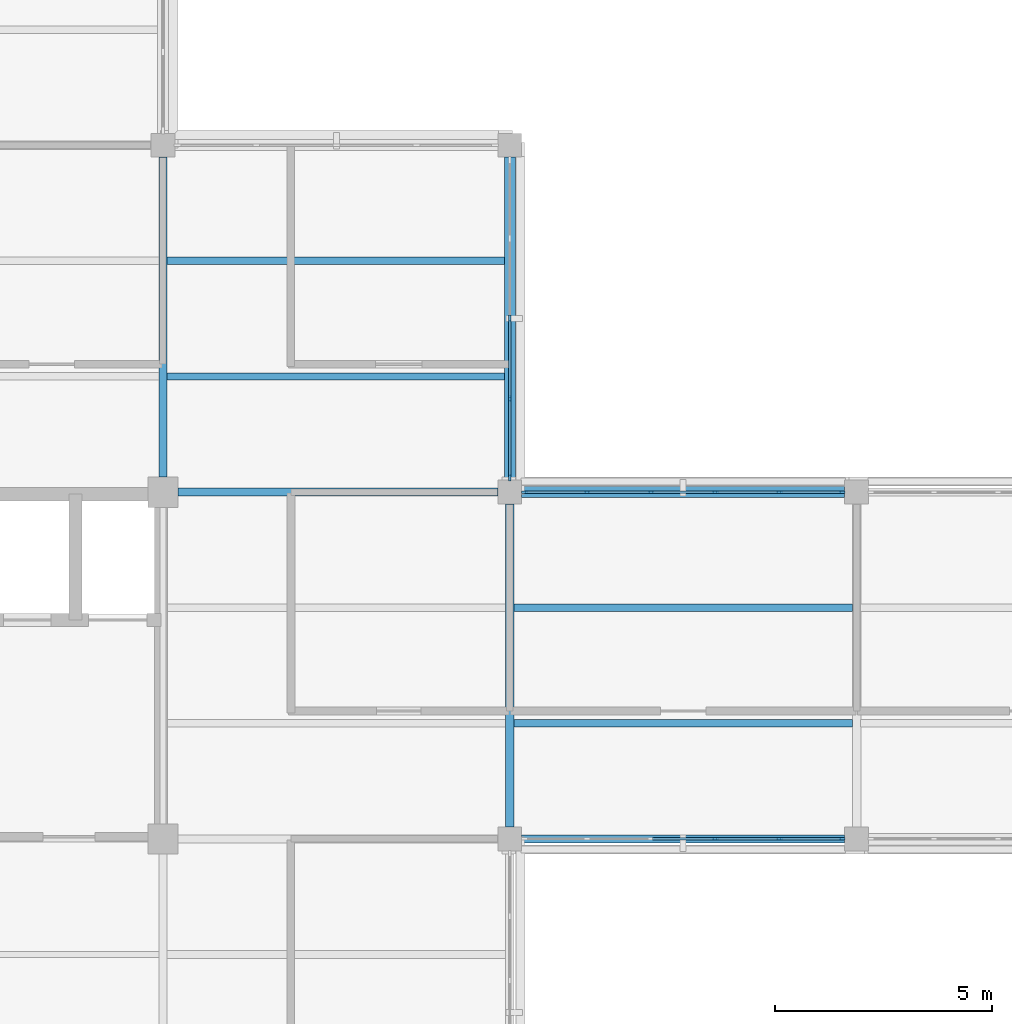
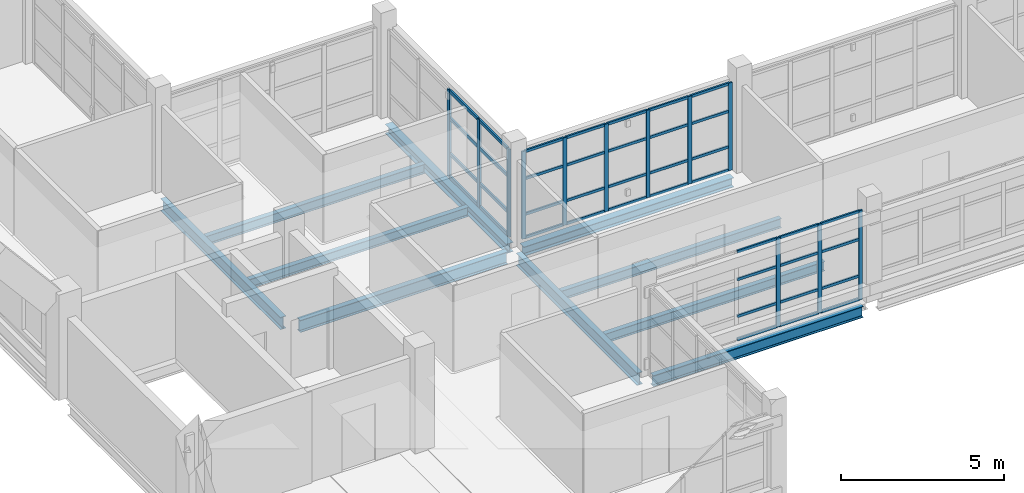
# One storey, part 21 of 92: 52 members, 10 beams, 3 elements without a shape of their own.
"""IFC4 building model written with IfcOpenShell, lengths in metres."""

from ifc_helpers import new_model, si_unit, derived_unit, direction, frame, origin, origin_2d, place, context, subcontext, project, spatial, rectangle, i_section, extrude, material, layer, layer_set, material_profile, profile_set, type_object, element, aggregate, save


model = new_model("IFC4")

# Units and contexts
model_context = context("Model", 3, precision=1e-05, world=origin(), true_north=direction((0.0, 1.0)))
body_context = subcontext(model_context, "Body", "Model", "MODEL_VIEW")
ifc_project = project(units=[si_unit("LENGTHUNIT", "METRE"), si_unit("AREAUNIT", "SQUARE_METRE"), si_unit("VOLUMEUNIT", "CUBIC_METRE"), si_unit("PLANEANGLEUNIT", "RADIAN"), si_unit("MASSUNIT", "GRAM", prefix="KILO"), derived_unit("THERMALTRANSMITTANCEUNIT", [(si_unit("MASSUNIT", "GRAM", prefix="KILO"), 1), (si_unit("TIMEUNIT", "SECOND"), -3), (si_unit("THERMODYNAMICTEMPERATUREUNIT", "KELVIN"), -1)])], contexts=[model_context])

# Site, building, storey
site_placement = place(None, origin())
site = spatial("IfcSite", under=ifc_project, at=site_placement, CompositionType="ELEMENT")
building_placement = place(site_placement, origin())
building = spatial("IfcBuilding", under=site, at=building_placement, Name="Veyamyaing Civic Hall", CompositionType="ELEMENT")
storey_placement = place(building_placement, frame((0.0, 0.0, 17.820068359375)))
storey = spatial("IfcBuildingStorey", under=building, at=storey_placement, Name="L04", CompositionType="ELEMENT", Elevation=17.820068359375)

# Beams
ifc_material_1 = material(Name="Steel ASTM A992", Category="steel")
ifc_material_profile_1 = material_profile(ifc_material_1, i_section(OverallWidth=0.19189453125, OverallDepth=0.462890625, WebThickness=0.010498046875, FlangeThickness=0.017578125, FilletRadius=0.010009765625, at=origin_2d()), Name="W460X89")
ifc_profile_set_1 = profile_set([ifc_material_profile_1], Name="Steel ASTM A992")
beam_type_1 = type_object("IfcBeamType", Name="B-08", PredefinedType="BEAM", material=ifc_profile_set_1)
beam_1_placement = place(storey_placement, frame((112.0, 56.35009765625, -0.466552734375), z_axis=(0.0, 1.0, 0.0), x_axis=(-1.0, 0.0, 0.0)))
element("IfcBeam", 1, at=beam_1_placement, inside=storey, type_object=beam_type_1, Name="Girder B-08 L04 Grid 15 H-J", PredefinedType="BEAM", context=body_context, shape_type="SweptSolid", body=[
    extrude(i_section(OverallWidth=0.19189453125, OverallDepth=0.462890625, WebThickness=0.010498046875, FlangeThickness=0.017578125, FilletRadius=0.010009765625, at=origin_2d()), origin(), (0.0, 0.0, 1.0), 7.375),
])
beam_2_placement = place(storey_placement, frame((120.0, 48.27490234375, -0.466552734375), z_axis=(0.0, 1.0, 0.0), x_axis=(-1.0, 0.0, 0.0)))
element("IfcBeam", 2, at=beam_2_placement, inside=storey, type_object=beam_type_1, Name="Girder B-08 L04 Grid 16 G-H", PredefinedType="BEAM", context=body_context, shape_type="SweptSolid", body=[
    extrude(i_section(OverallWidth=0.19189453125, OverallDepth=0.462890625, WebThickness=0.010498046875, FlangeThickness=0.017578125, FilletRadius=0.010009765625, at=origin_2d()), origin(), (0.0, 0.0, 1.0), 7.4501953125),
])
ifc_material_profile_2 = material_profile(ifc_material_1, i_section(OverallWidth=0.18994140625, OverallDepth=0.45703125, WebThickness=0.009033203125, FlangeThickness=0.014404296875, FilletRadius=0.010009765625, at=origin_2d()), Name="W460X74")
ifc_profile_set_2 = profile_set([ifc_material_profile_2], Name="Steel ASTM A992")
beam_type_2 = type_object("IfcBeamType", Name="B-09", PredefinedType="BEAM", material=ifc_profile_set_2)
beam_3_placement = place(storey_placement, frame((112.35009765625, 56.0, -0.463623046875), z_axis=(1.0, 0.0, 0.0), x_axis=(0.0, 1.0, 0.0)))
element("IfcBeam", 3, at=beam_3_placement, inside=storey, type_object=beam_type_2, Name="Girder B-09 L04 Grid H 15-16", PredefinedType="BEAM", context=body_context, shape_type="SweptSolid", body=[
    extrude(i_section(OverallWidth=0.18994140625, OverallDepth=0.45703125, WebThickness=0.009033203125, FlangeThickness=0.014404296875, FilletRadius=0.010009765625, at=origin_2d()), origin(), (0.0, 0.0, 1.0), 7.375),
])
ifc_material_profile_3 = material_profile(ifc_material_1, i_section(OverallWidth=0.180908203125, OverallDepth=0.4169921875, WebThickness=0.010986328125, FlangeThickness=0.018310546875, FilletRadius=0.010009765625, at=origin_2d()), Name="W410X85")
ifc_profile_set_3 = profile_set([ifc_material_profile_3], Name="Steel ASTM A992")
beam_type_3 = type_object("IfcBeamType", Name="B-19", PredefinedType="SPANDREL", material=ifc_profile_set_3)
beam_4_placement = place(storey_placement, frame((120.27490234375, 48.0, -0.443603515625), z_axis=(1.0, 0.0, 0.0), x_axis=(0.0, 1.0, 0.0)))
element("IfcBeam", 4, at=beam_4_placement, inside=storey, type_object=beam_type_3, Name="Girder B-19 L04 Grid G 16-17", PredefinedType="SPANDREL", context=body_context, shape_type="SweptSolid", body=[
    extrude(i_section(OverallWidth=0.180908203125, OverallDepth=0.4169921875, WebThickness=0.010986328125, FlangeThickness=0.018310546875, FilletRadius=0.010009765625, at=origin_2d()), origin(), (0.0, 0.0, 1.0), 7.4501953125),
])
ifc_material_profile_4 = material_profile(ifc_material_1, i_section(OverallWidth=0.25390625, OverallDepth=0.35302734375, WebThickness=0.009521484375, FlangeThickness=0.016357421875, FilletRadius=0.011962890625, at=origin_2d()), Name="W360X91")
ifc_profile_set_4 = profile_set([ifc_material_profile_4], Name="Steel ASTM A992")
beam_type_4 = type_object("IfcBeamType", Name="B-20", PredefinedType="SPANDREL", material=ifc_profile_set_4)
for number, where, z_axis, x_axis, name in (
    (5, (120.27490234375, 56.0, -0.41162109375), (1.0, 0.0, 0.0), (0.0, 1.0, 0.0), "Girder B-20 L04 Grid H 16-17"),
    (6, (120.0, 56.27490234375, -0.41162109375), (0.0, 1.0, 0.0), (-1.0, 0.0, 0.0), "Girder B-20 L04 Grid 16 H-J"),
):
    element("IfcBeam", number, at=place(storey_placement, frame(where, z_axis=z_axis, x_axis=x_axis)), inside=storey, type_object=beam_type_4, Name=name, PredefinedType="SPANDREL", context=body_context, shape_type="SweptSolid", body=[
        extrude(i_section(OverallWidth=0.25390625, OverallDepth=0.35302734375, WebThickness=0.009521484375, FlangeThickness=0.016357421875, FilletRadius=0.011962890625, at=origin_2d()), origin(), (0.0, 0.0, 1.0), 7.4501953125),
    ])

# Curtain wall, members
ifc_material_2 = material(Name="Anodised aluminium 6063-T6", Category="aluminium")
ifc_layer_1 = layer(ifc_material_2, 0.159912109375, Name="Anodised aluminium 6063-T6")
ifc_layer_set_1 = layer_set([ifc_layer_1], Name="Anodised aluminium 6063-T6")
curtain_wall_type_1 = type_object("IfcCurtainWallType", Name="CW-08", PredefinedType="NOTDEFINED", material=ifc_layer_set_1)
curtain_wall_1_placement = place(storey_placement, origin())
curtain_wall_1 = element("IfcCurtainWall", 7, at=curtain_wall_1_placement, inside=storey, type_object=curtain_wall_type_1, Name="Unitized curtain wall CW-08 L04 E 15.8", PredefinedType="NOTDEFINED")
ifc_material_profile_5 = material_profile(ifc_material_2, rectangle(XDim=0.06494140625, YDim=0.159912109375, at=origin_2d()), Name="ALU-MUL-65X160")
ifc_profile_set_5 = profile_set([ifc_material_profile_5], Name="Anodised aluminium 6063-T6")
member_type_1 = type_object("IfcMemberType", Name="CWM-01", PredefinedType="MULLION", material=ifc_profile_set_5)
member_1_placement = place(storey_placement, frame((120.0, 56.33740234375, 0.0), z_axis=(0.0, 0.0, 1.0), x_axis=(-1.0, 0.0, 0.0)))
member_1 = element("IfcMember", 8, at=member_1_placement, type_object=member_type_1, Name="CW-08 mullion 1", PredefinedType="MULLION", context=body_context, shape_type="SweptSolid", body=[
    extrude(rectangle(XDim=0.06494140625, YDim=0.159912109375, at=origin_2d()), origin(), (0.0, 0.0, 1.0), 3.288818359375),
])
member_2_placement = place(storey_placement, frame((120.0, 58.152587890625, 0.0), z_axis=(0.0, 0.0, 1.0), x_axis=(-1.0, 0.0, 0.0)))
member_2 = element("IfcMember", 9, at=member_2_placement, type_object=member_type_1, Name="CW-08 mullion 2", PredefinedType="MULLION", context=body_context, shape_type="SweptSolid", body=[
    extrude(rectangle(XDim=0.06494140625, YDim=0.159912109375, at=origin_2d()), origin(), (0.0, 0.0, 1.0), 3.288818359375),
])
member_3_placement = place(storey_placement, frame((120.0, 60.0, 0.0), z_axis=(0.0, 0.0, 1.0), x_axis=(-1.0, 0.0, 0.0)))
member_3 = element("IfcMember", 10, at=member_3_placement, type_object=member_type_1, Name="CW-08 mullion 3", PredefinedType="MULLION", context=body_context, shape_type="SweptSolid", body=[
    extrude(rectangle(XDim=0.06494140625, YDim=0.159912109375, at=origin_2d()), origin(), (0.0, 0.0, 1.0), 3.288818359375),
])

ifc_layer_2 = layer(ifc_material_2, 0.139892578125, Name="Anodised aluminium 6063-T6")
ifc_layer_set_2 = layer_set([ifc_layer_2], Name="Anodised aluminium 6063-T6")
curtain_wall_type_2 = type_object("IfcCurtainWallType", Name="CW-04", PredefinedType="NOTDEFINED", material=ifc_layer_set_2)
curtain_wall_2_placement = place(storey_placement, origin())
curtain_wall_2 = element("IfcCurtainWall", 11, at=curtain_wall_2_placement, inside=storey, type_object=curtain_wall_type_2, Name="Unitized curtain wall CW-04 L04 S 16.7", PredefinedType="NOTDEFINED")
ifc_material_profile_6 = material_profile(ifc_material_2, rectangle(XDim=0.06005859375, YDim=0.139892578125, at=origin_2d()), Name="ALU-MUL-60X140")
ifc_profile_set_6 = profile_set([ifc_material_profile_6], Name="Anodised aluminium 6063-T6")
member_type_2 = type_object("IfcMemberType", Name="CWM-03", PredefinedType="MULLION", material=ifc_profile_set_6)
member_4_placement = place(storey_placement, frame((124.739013671875, 48.0, 0.0), z_axis=(0.0, 0.0, 1.0), x_axis=(0.0, 1.0, 0.0)))
member_4 = element("IfcMember", 12, at=member_4_placement, type_object=member_type_2, Name="CW-04 mullion 4", PredefinedType="MULLION", context=body_context, shape_type="SweptSolid", body=[
    extrude(rectangle(XDim=0.06005859375, YDim=0.139892578125, at=origin_2d()), origin(), (0.0, 0.0, 1.0), 3.348876953125),
])
member_5_placement = place(storey_placement, frame((126.217041015625, 48.0, 0.0), z_axis=(0.0, 0.0, 1.0), x_axis=(0.0, 1.0, 0.0)))
member_5 = element("IfcMember", 13, at=member_5_placement, type_object=member_type_2, Name="CW-04 mullion 5", PredefinedType="MULLION", context=body_context, shape_type="SweptSolid", body=[
    extrude(rectangle(XDim=0.06005859375, YDim=0.139892578125, at=origin_2d()), origin(), (0.0, 0.0, 1.0), 3.348876953125),
])
member_6_placement = place(storey_placement, frame((127.6650390625, 48.0, 0.0), z_axis=(0.0, 0.0, 1.0), x_axis=(0.0, 1.0, 0.0)))
member_6 = element("IfcMember", 14, at=member_6_placement, type_object=member_type_2, Name="CW-04 mullion 6", PredefinedType="MULLION", context=body_context, shape_type="SweptSolid", body=[
    extrude(rectangle(XDim=0.06005859375, YDim=0.139892578125, at=origin_2d()), origin(), (0.0, 0.0, 1.0), 3.348876953125),
])

curtain_wall_3_placement = place(storey_placement, origin())
curtain_wall_3 = element("IfcCurtainWall", 15, at=curtain_wall_3_placement, inside=storey, type_object=curtain_wall_type_2, Name="Unitized curtain wall CW-04 L04 N 16.7", PredefinedType="NOTDEFINED")
member_7_placement = place(storey_placement, frame((120.3349609375, 56.0, 0.0), z_axis=(0.0, 0.0, 1.0), x_axis=(0.0, 1.0, 0.0)))
member_7 = element("IfcMember", 16, at=member_7_placement, type_object=member_type_2, Name="CW-04 mullion 1", PredefinedType="MULLION", context=body_context, shape_type="SweptSolid", body=[
    extrude(rectangle(XDim=0.06005859375, YDim=0.139892578125, at=origin_2d()), origin(), (0.0, 0.0, 1.0), 3.288818359375),
])
member_8_placement = place(storey_placement, frame((121.782958984375, 56.0, 0.0), z_axis=(0.0, 0.0, 1.0), x_axis=(0.0, 1.0, 0.0)))
member_8 = element("IfcMember", 17, at=member_8_placement, type_object=member_type_2, Name="CW-04 mullion 2", PredefinedType="MULLION", context=body_context, shape_type="SweptSolid", body=[
    extrude(rectangle(XDim=0.06005859375, YDim=0.139892578125, at=origin_2d()), origin(), (0.0, 0.0, 1.0), 3.288818359375),
])
member_9_placement = place(storey_placement, frame((123.260986328125, 56.0, 0.0), z_axis=(0.0, 0.0, 1.0), x_axis=(0.0, 1.0, 0.0)))
member_9 = element("IfcMember", 18, at=member_9_placement, type_object=member_type_2, Name="CW-04 mullion 3", PredefinedType="MULLION", context=body_context, shape_type="SweptSolid", body=[
    extrude(rectangle(XDim=0.06005859375, YDim=0.139892578125, at=origin_2d()), origin(), (0.0, 0.0, 1.0), 3.288818359375),
])
member_10_placement = place(storey_placement, frame((124.739013671875, 56.0, 0.0), z_axis=(0.0, 0.0, 1.0), x_axis=(0.0, 1.0, 0.0)))
member_10 = element("IfcMember", 19, at=member_10_placement, type_object=member_type_2, Name="CW-04 mullion 4", PredefinedType="MULLION", context=body_context, shape_type="SweptSolid", body=[
    extrude(rectangle(XDim=0.06005859375, YDim=0.139892578125, at=origin_2d()), origin(), (0.0, 0.0, 1.0), 3.288818359375),
])
member_11_placement = place(storey_placement, frame((126.217041015625, 56.0, 0.0), z_axis=(0.0, 0.0, 1.0), x_axis=(0.0, 1.0, 0.0)))
member_11 = element("IfcMember", 20, at=member_11_placement, type_object=member_type_2, Name="CW-04 mullion 5", PredefinedType="MULLION", context=body_context, shape_type="SweptSolid", body=[
    extrude(rectangle(XDim=0.06005859375, YDim=0.139892578125, at=origin_2d()), origin(), (0.0, 0.0, 1.0), 3.288818359375),
])
member_12_placement = place(storey_placement, frame((127.6650390625, 56.0, 0.0), z_axis=(0.0, 0.0, 1.0), x_axis=(0.0, 1.0, 0.0)))
member_12 = element("IfcMember", 21, at=member_12_placement, type_object=member_type_2, Name="CW-04 mullion 6", PredefinedType="MULLION", context=body_context, shape_type="SweptSolid", body=[
    extrude(rectangle(XDim=0.06005859375, YDim=0.139892578125, at=origin_2d()), origin(), (0.0, 0.0, 1.0), 3.288818359375),
])

# Member
ifc_material_profile_7 = material_profile(ifc_material_2, rectangle(XDim=0.06494140625, YDim=0.1201171875, at=origin_2d()), Name="ALU-TRN-65X120")
ifc_profile_set_7 = profile_set([ifc_material_profile_7], Name="Anodised aluminium 6063-T6")
member_type_3 = type_object("IfcMemberType", Name="CWT-01", PredefinedType="USERDEFINED", material=ifc_profile_set_7)
member_13_placement = place(storey_placement, frame((120.0, 56.3701171875, 0.032470703125), z_axis=(0.0, 1.0, 0.0), x_axis=(-1.0, 0.0, 0.0)))
member_13 = element("IfcMember", 22, at=member_13_placement, type_object=member_type_3, Name="CW-08 transom 1.1", ObjectType="TRANSOM", PredefinedType="USERDEFINED", context=body_context, shape_type="SweptSolid", body=[
    extrude(rectangle(XDim=0.06494140625, YDim=0.1201171875, at=origin_2d()), origin(), (0.0, 0.0, 1.0), 1.75),
])

member_14_placement = place(storey_placement, frame((120.0, 56.3701171875, 0.89990234375), z_axis=(0.0, 1.0, 0.0), x_axis=(-1.0, 0.0, 0.0)))
member_14 = element("IfcMember", 23, at=member_14_placement, type_object=member_type_3, Name="CW-08 transom 1.2", ObjectType="TRANSOM", PredefinedType="USERDEFINED", context=body_context, shape_type="SweptSolid", body=[
    extrude(rectangle(XDim=0.06494140625, YDim=0.1201171875, at=origin_2d()), origin(), (0.0, 0.0, 1.0), 1.75),
])

member_15_placement = place(storey_placement, frame((120.0, 56.3701171875, 2.236328125), z_axis=(0.0, 1.0, 0.0), x_axis=(-1.0, 0.0, 0.0)))
member_15 = element("IfcMember", 24, at=member_15_placement, type_object=member_type_3, Name="CW-08 transom 1.3", ObjectType="TRANSOM", PredefinedType="USERDEFINED", context=body_context, shape_type="SweptSolid", body=[
    extrude(rectangle(XDim=0.06494140625, YDim=0.1201171875, at=origin_2d()), origin(), (0.0, 0.0, 1.0), 1.75),
])

member_16_placement = place(storey_placement, frame((120.0, 56.3701171875, 3.25634765625), z_axis=(0.0, 1.0, 0.0), x_axis=(-1.0, 0.0, 0.0)))
member_16 = element("IfcMember", 25, at=member_16_placement, type_object=member_type_3, Name="CW-08 transom 1.4", ObjectType="TRANSOM", PredefinedType="USERDEFINED", context=body_context, shape_type="SweptSolid", body=[
    extrude(rectangle(XDim=0.06494140625, YDim=0.1201171875, at=origin_2d()), origin(), (0.0, 0.0, 1.0), 1.75),
])

member_17_placement = place(storey_placement, frame((120.0, 58.18505859375, 0.032470703125), z_axis=(0.0, 1.0, 0.0), x_axis=(-1.0, 0.0, 0.0)))
member_17 = element("IfcMember", 26, at=member_17_placement, type_object=member_type_3, Name="CW-08 transom 2.1", ObjectType="TRANSOM", PredefinedType="USERDEFINED", context=body_context, shape_type="SweptSolid", body=[
    extrude(rectangle(XDim=0.06494140625, YDim=0.1201171875, at=origin_2d()), origin(), (0.0, 0.0, 1.0), 1.782470703125),
])

member_18_placement = place(storey_placement, frame((120.0, 58.18505859375, 0.89990234375), z_axis=(0.0, 1.0, 0.0), x_axis=(-1.0, 0.0, 0.0)))
member_18 = element("IfcMember", 27, at=member_18_placement, type_object=member_type_3, Name="CW-08 transom 2.2", ObjectType="TRANSOM", PredefinedType="USERDEFINED", context=body_context, shape_type="SweptSolid", body=[
    extrude(rectangle(XDim=0.06494140625, YDim=0.1201171875, at=origin_2d()), origin(), (0.0, 0.0, 1.0), 1.782470703125),
])

member_19_placement = place(storey_placement, frame((120.0, 58.18505859375, 2.236328125), z_axis=(0.0, 1.0, 0.0), x_axis=(-1.0, 0.0, 0.0)))
member_19 = element("IfcMember", 28, at=member_19_placement, type_object=member_type_3, Name="CW-08 transom 2.3", ObjectType="TRANSOM", PredefinedType="USERDEFINED", context=body_context, shape_type="SweptSolid", body=[
    extrude(rectangle(XDim=0.06494140625, YDim=0.1201171875, at=origin_2d()), origin(), (0.0, 0.0, 1.0), 1.782470703125),
])

member_20_placement = place(storey_placement, frame((120.0, 58.18505859375, 3.25634765625), z_axis=(0.0, 1.0, 0.0), x_axis=(-1.0, 0.0, 0.0)))
member_20 = element("IfcMember", 29, at=member_20_placement, type_object=member_type_3, Name="CW-08 transom 2.4", ObjectType="TRANSOM", PredefinedType="USERDEFINED", context=body_context, shape_type="SweptSolid", body=[
    extrude(rectangle(XDim=0.06494140625, YDim=0.1201171875, at=origin_2d()), origin(), (0.0, 0.0, 1.0), 1.782470703125),
])

aggregate(curtain_wall_1, [member_1, member_2, member_3, member_13, member_14, member_15, member_16, member_17, member_18, member_19, member_20])

ifc_material_profile_8 = material_profile(ifc_material_2, rectangle(XDim=0.06005859375, YDim=0.10009765625, at=origin_2d()), Name="ALU-TRN-60X100")
ifc_profile_set_8 = profile_set([ifc_material_profile_8], Name="Anodised aluminium 6063-T6")
member_type_4 = type_object("IfcMemberType", Name="CWT-03", PredefinedType="USERDEFINED", material=ifc_profile_set_8)
member_21_placement = place(storey_placement, frame((123.291015625, 48.0, 0.030029296875), z_axis=(1.0, 0.0, 0.0), x_axis=(0.0, 1.0, 0.0)))
member_21 = element("IfcMember", 30, at=member_21_placement, type_object=member_type_4, Name="CW-04 transom 3.1", ObjectType="TRANSOM", PredefinedType="USERDEFINED", context=body_context, shape_type="SweptSolid", body=[
    extrude(rectangle(XDim=0.06005859375, YDim=0.10009765625, at=origin_2d()), origin(), (0.0, 0.0, 1.0), 1.41796875),
])

member_22_placement = place(storey_placement, frame((123.291015625, 48.0, 0.89990234375), z_axis=(1.0, 0.0, 0.0), x_axis=(0.0, 1.0, 0.0)))
member_22 = element("IfcMember", 31, at=member_22_placement, type_object=member_type_4, Name="CW-04 transom 3.2", ObjectType="TRANSOM", PredefinedType="USERDEFINED", context=body_context, shape_type="SweptSolid", body=[
    extrude(rectangle(XDim=0.06005859375, YDim=0.10009765625, at=origin_2d()), origin(), (0.0, 0.0, 1.0), 1.41796875),
])

member_23_placement = place(storey_placement, frame((123.291015625, 48.0, 2.27734375), z_axis=(1.0, 0.0, 0.0), x_axis=(0.0, 1.0, 0.0)))
member_23 = element("IfcMember", 32, at=member_23_placement, type_object=member_type_4, Name="CW-04 transom 3.3", ObjectType="TRANSOM", PredefinedType="USERDEFINED", context=body_context, shape_type="SweptSolid", body=[
    extrude(rectangle(XDim=0.06005859375, YDim=0.10009765625, at=origin_2d()), origin(), (0.0, 0.0, 1.0), 1.41796875),
])

member_24_placement = place(storey_placement, frame((123.291015625, 48.0, 3.31884765625), z_axis=(1.0, 0.0, 0.0), x_axis=(0.0, 1.0, 0.0)))
member_24 = element("IfcMember", 33, at=member_24_placement, type_object=member_type_4, Name="CW-04 transom 3.4", ObjectType="TRANSOM", PredefinedType="USERDEFINED", context=body_context, shape_type="SweptSolid", body=[
    extrude(rectangle(XDim=0.06005859375, YDim=0.10009765625, at=origin_2d()), origin(), (0.0, 0.0, 1.0), 1.41796875),
])

member_25_placement = place(storey_placement, frame((124.76904296875, 48.0, 0.030029296875), z_axis=(1.0, 0.0, 0.0), x_axis=(0.0, 1.0, 0.0)))
member_25 = element("IfcMember", 34, at=member_25_placement, type_object=member_type_4, Name="CW-04 transom 4.1", ObjectType="TRANSOM", PredefinedType="USERDEFINED", context=body_context, shape_type="SweptSolid", body=[
    extrude(rectangle(XDim=0.06005859375, YDim=0.10009765625, at=origin_2d()), origin(), (0.0, 0.0, 1.0), 1.41796875),
])

member_26_placement = place(storey_placement, frame((124.76904296875, 48.0, 0.89990234375), z_axis=(1.0, 0.0, 0.0), x_axis=(0.0, 1.0, 0.0)))
member_26 = element("IfcMember", 35, at=member_26_placement, type_object=member_type_4, Name="CW-04 transom 4.2", ObjectType="TRANSOM", PredefinedType="USERDEFINED", context=body_context, shape_type="SweptSolid", body=[
    extrude(rectangle(XDim=0.06005859375, YDim=0.10009765625, at=origin_2d()), origin(), (0.0, 0.0, 1.0), 1.41796875),
])

member_27_placement = place(storey_placement, frame((124.76904296875, 48.0, 2.27734375), z_axis=(1.0, 0.0, 0.0), x_axis=(0.0, 1.0, 0.0)))
member_27 = element("IfcMember", 36, at=member_27_placement, type_object=member_type_4, Name="CW-04 transom 4.3", ObjectType="TRANSOM", PredefinedType="USERDEFINED", context=body_context, shape_type="SweptSolid", body=[
    extrude(rectangle(XDim=0.06005859375, YDim=0.10009765625, at=origin_2d()), origin(), (0.0, 0.0, 1.0), 1.41796875),
])

member_28_placement = place(storey_placement, frame((124.76904296875, 48.0, 3.31884765625), z_axis=(1.0, 0.0, 0.0), x_axis=(0.0, 1.0, 0.0)))
member_28 = element("IfcMember", 37, at=member_28_placement, type_object=member_type_4, Name="CW-04 transom 4.4", ObjectType="TRANSOM", PredefinedType="USERDEFINED", context=body_context, shape_type="SweptSolid", body=[
    extrude(rectangle(XDim=0.06005859375, YDim=0.10009765625, at=origin_2d()), origin(), (0.0, 0.0, 1.0), 1.41796875),
])

member_29_placement = place(storey_placement, frame((126.2470703125, 48.0, 0.030029296875), z_axis=(1.0, 0.0, 0.0), x_axis=(0.0, 1.0, 0.0)))
member_29 = element("IfcMember", 38, at=member_29_placement, type_object=member_type_4, Name="CW-04 transom 5.1", ObjectType="TRANSOM", PredefinedType="USERDEFINED", context=body_context, shape_type="SweptSolid", body=[
    extrude(rectangle(XDim=0.06005859375, YDim=0.10009765625, at=origin_2d()), origin(), (0.0, 0.0, 1.0), 1.387939453125),
])

member_30_placement = place(storey_placement, frame((126.2470703125, 48.0, 0.89990234375), z_axis=(1.0, 0.0, 0.0), x_axis=(0.0, 1.0, 0.0)))
member_30 = element("IfcMember", 39, at=member_30_placement, type_object=member_type_4, Name="CW-04 transom 5.2", ObjectType="TRANSOM", PredefinedType="USERDEFINED", context=body_context, shape_type="SweptSolid", body=[
    extrude(rectangle(XDim=0.06005859375, YDim=0.10009765625, at=origin_2d()), origin(), (0.0, 0.0, 1.0), 1.387939453125),
])

member_31_placement = place(storey_placement, frame((126.2470703125, 48.0, 2.27734375), z_axis=(1.0, 0.0, 0.0), x_axis=(0.0, 1.0, 0.0)))
member_31 = element("IfcMember", 40, at=member_31_placement, type_object=member_type_4, Name="CW-04 transom 5.3", ObjectType="TRANSOM", PredefinedType="USERDEFINED", context=body_context, shape_type="SweptSolid", body=[
    extrude(rectangle(XDim=0.06005859375, YDim=0.10009765625, at=origin_2d()), origin(), (0.0, 0.0, 1.0), 1.387939453125),
])

member_32_placement = place(storey_placement, frame((126.2470703125, 48.0, 3.31884765625), z_axis=(1.0, 0.0, 0.0), x_axis=(0.0, 1.0, 0.0)))
member_32 = element("IfcMember", 41, at=member_32_placement, type_object=member_type_4, Name="CW-04 transom 5.4", ObjectType="TRANSOM", PredefinedType="USERDEFINED", context=body_context, shape_type="SweptSolid", body=[
    extrude(rectangle(XDim=0.06005859375, YDim=0.10009765625, at=origin_2d()), origin(), (0.0, 0.0, 1.0), 1.387939453125),
])

aggregate(curtain_wall_2, [member_4, member_5, member_6, member_21, member_22, member_23, member_24, member_25, member_26, member_27, member_28, member_29, member_30, member_31, member_32])

member_33_placement = place(storey_placement, frame((120.364990234375, 56.0, 0.030029296875), z_axis=(1.0, 0.0, 0.0), x_axis=(0.0, 1.0, 0.0)))
member_33 = element("IfcMember", 42, at=member_33_placement, type_object=member_type_4, Name="CW-04 transom 1.1", ObjectType="TRANSOM", PredefinedType="USERDEFINED", context=body_context, shape_type="SweptSolid", body=[
    extrude(rectangle(XDim=0.06005859375, YDim=0.10009765625, at=origin_2d()), origin(), (0.0, 0.0, 1.0), 1.387939453125),
])

member_34_placement = place(storey_placement, frame((120.364990234375, 56.0, 0.89990234375), z_axis=(1.0, 0.0, 0.0), x_axis=(0.0, 1.0, 0.0)))
member_34 = element("IfcMember", 43, at=member_34_placement, type_object=member_type_4, Name="CW-04 transom 1.2", ObjectType="TRANSOM", PredefinedType="USERDEFINED", context=body_context, shape_type="SweptSolid", body=[
    extrude(rectangle(XDim=0.06005859375, YDim=0.10009765625, at=origin_2d()), origin(), (0.0, 0.0, 1.0), 1.387939453125),
])

member_35_placement = place(storey_placement, frame((120.364990234375, 56.0, 2.236328125), z_axis=(1.0, 0.0, 0.0), x_axis=(0.0, 1.0, 0.0)))
member_35 = element("IfcMember", 44, at=member_35_placement, type_object=member_type_4, Name="CW-04 transom 1.3", ObjectType="TRANSOM", PredefinedType="USERDEFINED", context=body_context, shape_type="SweptSolid", body=[
    extrude(rectangle(XDim=0.06005859375, YDim=0.10009765625, at=origin_2d()), origin(), (0.0, 0.0, 1.0), 1.387939453125),
])

member_36_placement = place(storey_placement, frame((120.364990234375, 56.0, 3.259033203125), z_axis=(1.0, 0.0, 0.0), x_axis=(0.0, 1.0, 0.0)))
member_36 = element("IfcMember", 45, at=member_36_placement, type_object=member_type_4, Name="CW-04 transom 1.4", ObjectType="TRANSOM", PredefinedType="USERDEFINED", context=body_context, shape_type="SweptSolid", body=[
    extrude(rectangle(XDim=0.06005859375, YDim=0.10009765625, at=origin_2d()), origin(), (0.0, 0.0, 1.0), 1.387939453125),
])

member_37_placement = place(storey_placement, frame((121.81298828125, 56.0, 0.030029296875), z_axis=(1.0, 0.0, 0.0), x_axis=(0.0, 1.0, 0.0)))
member_37 = element("IfcMember", 46, at=member_37_placement, type_object=member_type_4, Name="CW-04 transom 2.1", ObjectType="TRANSOM", PredefinedType="USERDEFINED", context=body_context, shape_type="SweptSolid", body=[
    extrude(rectangle(XDim=0.06005859375, YDim=0.10009765625, at=origin_2d()), origin(), (0.0, 0.0, 1.0), 1.41796875),
])

member_38_placement = place(storey_placement, frame((121.81298828125, 56.0, 0.89990234375), z_axis=(1.0, 0.0, 0.0), x_axis=(0.0, 1.0, 0.0)))
member_38 = element("IfcMember", 47, at=member_38_placement, type_object=member_type_4, Name="CW-04 transom 2.2", ObjectType="TRANSOM", PredefinedType="USERDEFINED", context=body_context, shape_type="SweptSolid", body=[
    extrude(rectangle(XDim=0.06005859375, YDim=0.10009765625, at=origin_2d()), origin(), (0.0, 0.0, 1.0), 1.41796875),
])

member_39_placement = place(storey_placement, frame((121.81298828125, 56.0, 2.236328125), z_axis=(1.0, 0.0, 0.0), x_axis=(0.0, 1.0, 0.0)))
member_39 = element("IfcMember", 48, at=member_39_placement, type_object=member_type_4, Name="CW-04 transom 2.3", ObjectType="TRANSOM", PredefinedType="USERDEFINED", context=body_context, shape_type="SweptSolid", body=[
    extrude(rectangle(XDim=0.06005859375, YDim=0.10009765625, at=origin_2d()), origin(), (0.0, 0.0, 1.0), 1.41796875),
])

member_40_placement = place(storey_placement, frame((121.81298828125, 56.0, 3.259033203125), z_axis=(1.0, 0.0, 0.0), x_axis=(0.0, 1.0, 0.0)))
member_40 = element("IfcMember", 49, at=member_40_placement, type_object=member_type_4, Name="CW-04 transom 2.4", ObjectType="TRANSOM", PredefinedType="USERDEFINED", context=body_context, shape_type="SweptSolid", body=[
    extrude(rectangle(XDim=0.06005859375, YDim=0.10009765625, at=origin_2d()), origin(), (0.0, 0.0, 1.0), 1.41796875),
])

member_41_placement = place(storey_placement, frame((123.291015625, 56.0, 0.030029296875), z_axis=(1.0, 0.0, 0.0), x_axis=(0.0, 1.0, 0.0)))
member_41 = element("IfcMember", 50, at=member_41_placement, type_object=member_type_4, Name="CW-04 transom 3.1", ObjectType="TRANSOM", PredefinedType="USERDEFINED", context=body_context, shape_type="SweptSolid", body=[
    extrude(rectangle(XDim=0.06005859375, YDim=0.10009765625, at=origin_2d()), origin(), (0.0, 0.0, 1.0), 1.41796875),
])

member_42_placement = place(storey_placement, frame((123.291015625, 56.0, 0.89990234375), z_axis=(1.0, 0.0, 0.0), x_axis=(0.0, 1.0, 0.0)))
member_42 = element("IfcMember", 51, at=member_42_placement, type_object=member_type_4, Name="CW-04 transom 3.2", ObjectType="TRANSOM", PredefinedType="USERDEFINED", context=body_context, shape_type="SweptSolid", body=[
    extrude(rectangle(XDim=0.06005859375, YDim=0.10009765625, at=origin_2d()), origin(), (0.0, 0.0, 1.0), 1.41796875),
])

member_43_placement = place(storey_placement, frame((123.291015625, 56.0, 2.236328125), z_axis=(1.0, 0.0, 0.0), x_axis=(0.0, 1.0, 0.0)))
member_43 = element("IfcMember", 52, at=member_43_placement, type_object=member_type_4, Name="CW-04 transom 3.3", ObjectType="TRANSOM", PredefinedType="USERDEFINED", context=body_context, shape_type="SweptSolid", body=[
    extrude(rectangle(XDim=0.06005859375, YDim=0.10009765625, at=origin_2d()), origin(), (0.0, 0.0, 1.0), 1.41796875),
])

member_44_placement = place(storey_placement, frame((123.291015625, 56.0, 3.259033203125), z_axis=(1.0, 0.0, 0.0), x_axis=(0.0, 1.0, 0.0)))
member_44 = element("IfcMember", 53, at=member_44_placement, type_object=member_type_4, Name="CW-04 transom 3.4", ObjectType="TRANSOM", PredefinedType="USERDEFINED", context=body_context, shape_type="SweptSolid", body=[
    extrude(rectangle(XDim=0.06005859375, YDim=0.10009765625, at=origin_2d()), origin(), (0.0, 0.0, 1.0), 1.41796875),
])

member_45_placement = place(storey_placement, frame((124.76904296875, 56.0, 0.030029296875), z_axis=(1.0, 0.0, 0.0), x_axis=(0.0, 1.0, 0.0)))
member_45 = element("IfcMember", 54, at=member_45_placement, type_object=member_type_4, Name="CW-04 transom 4.1", ObjectType="TRANSOM", PredefinedType="USERDEFINED", context=body_context, shape_type="SweptSolid", body=[
    extrude(rectangle(XDim=0.06005859375, YDim=0.10009765625, at=origin_2d()), origin(), (0.0, 0.0, 1.0), 1.41796875),
])

member_46_placement = place(storey_placement, frame((124.76904296875, 56.0, 0.89990234375), z_axis=(1.0, 0.0, 0.0), x_axis=(0.0, 1.0, 0.0)))
member_46 = element("IfcMember", 55, at=member_46_placement, type_object=member_type_4, Name="CW-04 transom 4.2", ObjectType="TRANSOM", PredefinedType="USERDEFINED", context=body_context, shape_type="SweptSolid", body=[
    extrude(rectangle(XDim=0.06005859375, YDim=0.10009765625, at=origin_2d()), origin(), (0.0, 0.0, 1.0), 1.41796875),
])

member_47_placement = place(storey_placement, frame((124.76904296875, 56.0, 2.236328125), z_axis=(1.0, 0.0, 0.0), x_axis=(0.0, 1.0, 0.0)))
member_47 = element("IfcMember", 56, at=member_47_placement, type_object=member_type_4, Name="CW-04 transom 4.3", ObjectType="TRANSOM", PredefinedType="USERDEFINED", context=body_context, shape_type="SweptSolid", body=[
    extrude(rectangle(XDim=0.06005859375, YDim=0.10009765625, at=origin_2d()), origin(), (0.0, 0.0, 1.0), 1.41796875),
])

member_48_placement = place(storey_placement, frame((124.76904296875, 56.0, 3.259033203125), z_axis=(1.0, 0.0, 0.0), x_axis=(0.0, 1.0, 0.0)))
member_48 = element("IfcMember", 57, at=member_48_placement, type_object=member_type_4, Name="CW-04 transom 4.4", ObjectType="TRANSOM", PredefinedType="USERDEFINED", context=body_context, shape_type="SweptSolid", body=[
    extrude(rectangle(XDim=0.06005859375, YDim=0.10009765625, at=origin_2d()), origin(), (0.0, 0.0, 1.0), 1.41796875),
])

member_49_placement = place(storey_placement, frame((126.2470703125, 56.0, 0.030029296875), z_axis=(1.0, 0.0, 0.0), x_axis=(0.0, 1.0, 0.0)))
member_49 = element("IfcMember", 58, at=member_49_placement, type_object=member_type_4, Name="CW-04 transom 5.1", ObjectType="TRANSOM", PredefinedType="USERDEFINED", context=body_context, shape_type="SweptSolid", body=[
    extrude(rectangle(XDim=0.06005859375, YDim=0.10009765625, at=origin_2d()), origin(), (0.0, 0.0, 1.0), 1.387939453125),
])

member_50_placement = place(storey_placement, frame((126.2470703125, 56.0, 0.89990234375), z_axis=(1.0, 0.0, 0.0), x_axis=(0.0, 1.0, 0.0)))
member_50 = element("IfcMember", 59, at=member_50_placement, type_object=member_type_4, Name="CW-04 transom 5.2", ObjectType="TRANSOM", PredefinedType="USERDEFINED", context=body_context, shape_type="SweptSolid", body=[
    extrude(rectangle(XDim=0.06005859375, YDim=0.10009765625, at=origin_2d()), origin(), (0.0, 0.0, 1.0), 1.387939453125),
])

member_51_placement = place(storey_placement, frame((126.2470703125, 56.0, 2.236328125), z_axis=(1.0, 0.0, 0.0), x_axis=(0.0, 1.0, 0.0)))
member_51 = element("IfcMember", 60, at=member_51_placement, type_object=member_type_4, Name="CW-04 transom 5.3", ObjectType="TRANSOM", PredefinedType="USERDEFINED", context=body_context, shape_type="SweptSolid", body=[
    extrude(rectangle(XDim=0.06005859375, YDim=0.10009765625, at=origin_2d()), origin(), (0.0, 0.0, 1.0), 1.387939453125),
])

member_52_placement = place(storey_placement, frame((126.2470703125, 56.0, 3.259033203125), z_axis=(1.0, 0.0, 0.0), x_axis=(0.0, 1.0, 0.0)))
member_52 = element("IfcMember", 61, at=member_52_placement, type_object=member_type_4, Name="CW-04 transom 5.4", ObjectType="TRANSOM", PredefinedType="USERDEFINED", context=body_context, shape_type="SweptSolid", body=[
    extrude(rectangle(XDim=0.06005859375, YDim=0.10009765625, at=origin_2d()), origin(), (0.0, 0.0, 1.0), 1.387939453125),
])

aggregate(curtain_wall_3, [member_7, member_8, member_9, member_10, member_11, member_12, member_33, member_34, member_35, member_36, member_37, member_38, member_39, member_40, member_41, member_42, member_43, member_44, member_45, member_46, member_47, member_48, member_49, member_50, member_51, member_52])

# Beams
ifc_material_profile_9 = material_profile(ifc_material_1, i_section(OverallWidth=0.1708984375, OverallDepth=0.35205078125, WebThickness=0.0068359375, FlangeThickness=0.009765625, FilletRadius=0.010009765625, at=origin_2d()), Name="W360X44")
ifc_profile_set_9 = profile_set([ifc_material_profile_9], Name="Steel ASTM A992")
beam_type_5 = type_object("IfcBeamType", Name="J-03", PredefinedType="JOIST", material=ifc_profile_set_9)
for number, where, z_axis, x_axis, name in (
    (62, (112.093994140625, 58.666748046875, -0.4111328125), (1.0, 0.0, 0.0), (0.0, 1.0, 0.0), "Composite floor joist J-03 L04 15.8.1"),
    (63, (112.093994140625, 61.333251953125, -0.4111328125), (1.0, 0.0, 0.0), (0.0, 1.0, 0.0), "Composite floor joist J-03 L04 15.8.2"),
):
    element("IfcBeam", number, at=place(storey_placement, frame(where, z_axis=z_axis, x_axis=x_axis)), inside=storey, type_object=beam_type_5, Name=name, PredefinedType="JOIST", context=body_context, shape_type="SweptSolid", body=[
        extrude(i_section(OverallWidth=0.1708984375, OverallDepth=0.35205078125, WebThickness=0.0068359375, FlangeThickness=0.009765625, FilletRadius=0.010009765625, at=origin_2d()), origin(), (0.0, 0.0, 1.0), 7.781005859375),
    ])
for number, where, z_axis, x_axis, name in (
    (64, (120.093994140625, 50.666748046875, -0.4111328125), (1.0, 0.0, 0.0), (0.0, 1.0, 0.0), "Composite floor joist J-03 L04 16.7.1"),
    (65, (120.093994140625, 53.333251953125, -0.4111328125), (1.0, 0.0, 0.0), (0.0, 1.0, 0.0), "Composite floor joist J-03 L04 16.7.2"),
):
    element("IfcBeam", number, at=place(storey_placement, frame(where, z_axis=z_axis, x_axis=x_axis)), inside=storey, type_object=beam_type_5, Name=name, PredefinedType="JOIST", context=body_context, shape_type="SweptSolid", body=[
        extrude(i_section(OverallWidth=0.1708984375, OverallDepth=0.35205078125, WebThickness=0.0068359375, FlangeThickness=0.009765625, FilletRadius=0.010009765625, at=origin_2d()), origin(), (0.0, 0.0, 1.0), 7.81298828125),
    ])

save(model, "model.ifc")
